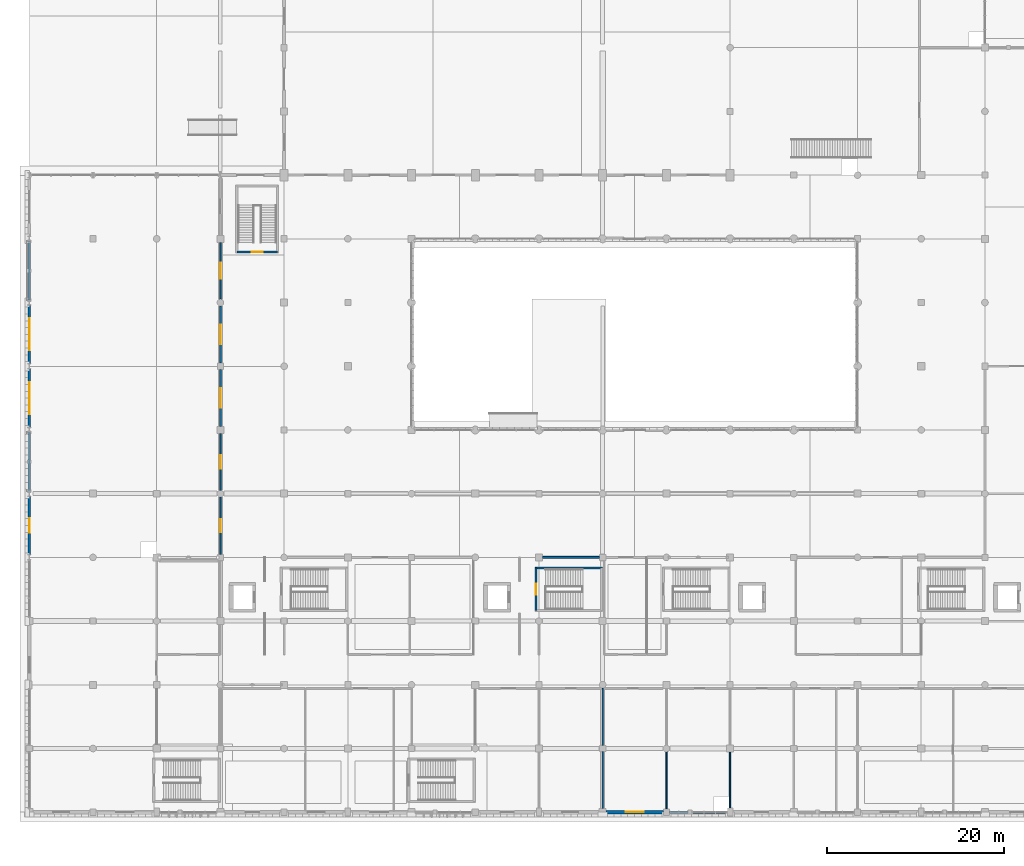
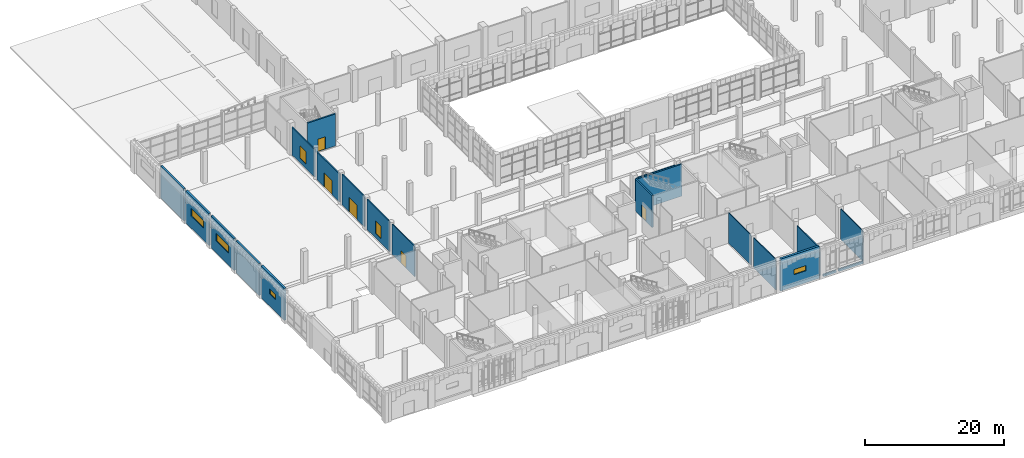
# One storey, part 56 of 85: 21 walls, 6 windows, 5 doors, 11 openings.
"""IFC4 building model written with IfcOpenShell, lengths in metres."""

from ifc_helpers import new_model, si_unit, direction, frame, frame_2d, origin, place, context, subcontext, project, spatial, rectangle, extrude, material, layer, layer_set, type_object, element, fill, save


model = new_model("IFC4")

# Units and contexts
model_context = context("Model", 3, precision=1e-05, world=origin(), true_north=direction((0.0, 1.0)))
body_context = subcontext(model_context, "Body", "Model", "MODEL_VIEW")
ifc_project = project(units=[si_unit("LENGTHUNIT", "METRE"), si_unit("AREAUNIT", "SQUARE_METRE"), si_unit("VOLUMEUNIT", "CUBIC_METRE"), si_unit("PLANEANGLEUNIT", "RADIAN"), si_unit("MASSUNIT", "GRAM", prefix="KILO")], contexts=[model_context])

# Site, building, storey
site_placement = place(None, origin())
site = spatial("IfcSite", under=ifc_project, at=site_placement, CompositionType="ELEMENT")
building_placement = place(site_placement, origin())
building = spatial("IfcBuilding", under=site, at=building_placement, Name="Sardonyx Promenade Sports Hall", CompositionType="ELEMENT")
storey_placement = place(building_placement, origin())
storey = spatial("IfcBuildingStorey", under=building, at=storey_placement, Name="L00", CompositionType="ELEMENT", Elevation=0.0)

# Wall, opening, window
ifc_material_1 = material(Name="Concrete C40/50", Category="concrete")
ifc_layer_1 = layer(ifc_material_1, 0.320068359375)
ifc_layer_set_1 = layer_set([ifc_layer_1], Name="Wall_Ext_Court_320")
wall_type_1 = type_object("IfcWallType", Name="Wall_Ext_Court_320", PredefinedType="SOLIDWALL", material=ifc_layer_set_1)
wall_1_placement = place(storey_placement, frame((0.0, 29.080078125, 0.0), z_axis=(0.0, 0.0, 1.0), x_axis=(0.0, 1.0, 0.0)))
wall_1 = element("IfcWall", 1, at=wall_1_placement, inside=storey, type_object=wall_type_1, Name="Exterior wall EW01 L00 #132", PredefinedType="SOLIDWALL", context=body_context, shape_type="SweptSolid", body=[
    extrude(rectangle(XDim=6.639892578125, YDim=0.320068359375, at=frame_2d((3.31982421875, 0.0))), origin(), (0.0, 0.0, 1.0), 5.60009765625),
])
opening_1_placement = place(wall_1_placement, frame((2.52001953125, 0.0, 2.10009765625)))
opening_1 = element("IfcOpeningElement", 2, at=opening_1_placement, cuts=wall_1, Name="Opening W02", PredefinedType="OPENING", context=body_context, shape_type="SweptSolid", body=[
    extrude(rectangle(XDim=1.60009765625, YDim=0.89990234375, at=frame_2d((0.800048828125, 0.449951171875))), frame((0.0, 0.17, 0.0), z_axis=(0.0, -1.0, 0.0), x_axis=(1.0, 0.0, 0.0)), (0.0, 0.0, 1.0), 0.34),
])
ifc_material_2 = material(Name="Double-glazed solar low-E aluminium window", Category="aluminium")
window_type_1 = type_object("IfcWindowType", Name="Win_Changing_Hi_160x090", PartitioningType="SINGLE_PANEL", PredefinedType="WINDOW", material=ifc_material_2)
window_1_placement = place(opening_1_placement, origin())
window_1 = element("IfcWindow", 3, at=window_1_placement, inside=storey, type_object=window_type_1, Name="Facade window W02 L00 #55", OverallHeight=0.89990234375, OverallWidth=1.60009765625, PartitioningType="SINGLE_PANEL", PredefinedType="WINDOW", context=body_context, shape_type="SweptSolid", body=[
    extrude(rectangle(XDim=1.60009765625, YDim=0.89990234375, at=frame_2d((0.800048828125, 0.449951171875))), frame((0.0, 0.030029296875, 0.0), z_axis=(0.0, -1.0, 0.0), x_axis=(1.0, 0.0, 0.0)), (0.0, 0.0, 1.0), 0.06005859375),
])
fill(opening_1, window_1)

# Wall
wall_2_placement = place(storey_placement, frame((0.0, 36.280029296875, 0.0), z_axis=(0.0, 0.0, 1.0), x_axis=(0.0, 1.0, 0.0)))
element("IfcWall", 4, at=wall_2_placement, inside=storey, type_object=wall_type_1, Name="Exterior wall EW01 L00 #133", PredefinedType="SOLIDWALL", context=body_context, shape_type="SweptSolid", body=[
    extrude(rectangle(XDim=6.639892578125, YDim=0.320068359375, at=frame_2d((3.31982421875, 0.0))), origin(), (0.0, 0.0, 1.0), 5.60009765625),
])

# Wall, opening, window
wall_3_placement = place(storey_placement, frame((0.0, 43.47998046875, 0.0), z_axis=(0.0, 0.0, 1.0), x_axis=(0.0, 1.0, 0.0)))
wall_3 = element("IfcWall", 5, at=wall_3_placement, inside=storey, type_object=wall_type_1, Name="Exterior wall EW01 L00 #134", PredefinedType="SOLIDWALL", context=body_context, shape_type="SweptSolid", body=[
    extrude(rectangle(XDim=6.64013671875, YDim=0.320068359375, at=frame_2d((3.320068359375, 0.0))), origin(), (0.0, 0.0, 1.0), 5.60009765625),
])
opening_2_placement = place(wall_3_placement, frame((1.52001953125, 0.0, 2.10009765625)))
opening_2 = element("IfcOpeningElement", 6, at=opening_2_placement, cuts=wall_3, Name="Opening W17", PredefinedType="OPENING", context=body_context, shape_type="SweptSolid", body=[
    extrude(rectangle(XDim=3.60009765625, YDim=1.35009765625, at=frame_2d((1.800048828125, 0.675048828125))), frame((0.0, 0.17, 0.0), z_axis=(0.0, -1.0, 0.0), x_axis=(1.0, 0.0, 0.0)), (0.0, 0.0, 1.0), 0.34),
])
ifc_material_3 = material(Name="Double-glazed solar low-E aluminium window", Category="aluminium")
window_type_2 = type_object("IfcWindowType", Name="Win_Clerestory_360x135", PartitioningType="DOUBLE_PANEL_VERTICAL", PredefinedType="WINDOW", material=ifc_material_3)
window_2_placement = place(opening_2_placement, origin())
window_2 = element("IfcWindow", 7, at=window_2_placement, inside=storey, type_object=window_type_2, Name="Facade window W17 L00 #56", OverallHeight=1.35009765625, OverallWidth=3.60009765625, PartitioningType="SINGLE_PANEL", PredefinedType="WINDOW", context=body_context, shape_type="SweptSolid", body=[
    extrude(rectangle(XDim=3.60009765625, YDim=1.35009765625, at=frame_2d((1.800048828125, 0.675048828125))), frame((0.0, 0.030029296875, 0.0), z_axis=(0.0, -1.0, 0.0), x_axis=(1.0, 0.0, 0.0)), (0.0, 0.0, 1.0), 0.06005859375),
])
fill(opening_2, window_2)

wall_4_placement = place(storey_placement, frame((0.0, 50.679931640625, 0.0), z_axis=(0.0, 0.0, 1.0), x_axis=(0.0, 1.0, 0.0)))
wall_4 = element("IfcWall", 8, at=wall_4_placement, inside=storey, type_object=wall_type_1, Name="Exterior wall EW01 L00 #135", PredefinedType="SOLIDWALL", context=body_context, shape_type="SweptSolid", body=[
    extrude(rectangle(XDim=6.64013671875, YDim=0.320068359375, at=frame_2d((3.320068359375, 0.0))), origin(), (0.0, 0.0, 1.0), 5.60009765625),
])
opening_3_placement = place(wall_4_placement, frame((1.52001953125, 0.0, 2.10009765625)))
opening_3 = element("IfcOpeningElement", 9, at=opening_3_placement, cuts=wall_4, Name="Opening W17", PredefinedType="OPENING", context=body_context, shape_type="SweptSolid", body=[
    extrude(rectangle(XDim=3.60009765625, YDim=1.35009765625, at=frame_2d((1.800048828125, 0.675048828125))), frame((0.0, 0.17, 0.0), z_axis=(0.0, -1.0, 0.0), x_axis=(1.0, 0.0, 0.0)), (0.0, 0.0, 1.0), 0.34),
])
window_3_placement = place(opening_3_placement, origin())
window_3 = element("IfcWindow", 10, at=window_3_placement, inside=storey, type_object=window_type_2, Name="Facade window W17 L00 #57", OverallHeight=1.35009765625, OverallWidth=3.60009765625, PartitioningType="SINGLE_PANEL", PredefinedType="WINDOW", context=body_context, shape_type="SweptSolid", body=[
    extrude(rectangle(XDim=3.60009765625, YDim=1.35009765625, at=frame_2d((1.800048828125, 0.675048828125))), frame((0.0, 0.030029296875, 0.0), z_axis=(0.0, -1.0, 0.0), x_axis=(1.0, 0.0, 0.0)), (0.0, 0.0, 1.0), 0.06005859375),
])
fill(opening_3, window_3)

# Wall
wall_5_placement = place(storey_placement, frame((0.0, 57.8798828125, 0.0), z_axis=(0.0, 0.0, 1.0), x_axis=(0.0, 1.0, 0.0)))
element("IfcWall", 11, at=wall_5_placement, inside=storey, type_object=wall_type_1, Name="Exterior wall EW01 L00 #136", PredefinedType="SOLIDWALL", context=body_context, shape_type="SweptSolid", body=[
    extrude(rectangle(XDim=6.64013671875, YDim=0.320068359375, at=frame_2d((3.320068359375, 0.0))), origin(), (0.0, 0.0, 1.0), 5.60009765625),
])

# Wall, opening, window
ifc_material_4 = material(Name="Concrete C40/50", Category="concrete")
ifc_layer_2 = layer(ifc_material_4, 0.360107421875)
ifc_layer_set_2 = layer_set([ifc_layer_2], Name="Wall_Ext_Sandstone_360")
wall_type_2 = type_object("IfcWallType", Name="Wall_Ext_Sandstone_360", PredefinedType="SOLIDWALL", material=ifc_layer_set_2)
wall_6_placement = place(storey_placement, frame((71.6650390625, 0.0, 0.0), z_axis=(0.0, 0.0, 1.0), x_axis=(-1.0, 0.0, 0.0)))
wall_6 = element("IfcWall", 12, at=wall_6_placement, inside=storey, type_object=wall_type_2, Name="Exterior wall EW06 L00 #19", PredefinedType="SOLIDWALL", context=body_context, shape_type="SweptSolid", body=[
    extrude(rectangle(XDim=6.47998046875, YDim=0.360107421875, at=frame_2d((3.239990234375, 0.0))), origin(), (0.0, 0.0, 1.0), 5.60009765625),
])
opening_4_placement = place(wall_6_placement, frame((2.239990234375, 0.0, 2.10009765625)))
opening_4 = element("IfcOpeningElement", 13, at=opening_4_placement, cuts=wall_6, Name="Opening W06", PredefinedType="OPENING", context=body_context, shape_type="SweptSolid", body=[
    extrude(rectangle(XDim=2.0, YDim=0.89990234375, at=frame_2d((1.0, 0.449951171875))), frame((0.0, 0.19, 0.0), z_axis=(0.0, -1.0, 0.0), x_axis=(1.0, 0.0, 0.0)), (0.0, 0.0, 1.0), 0.38),
])
ifc_material_5 = material(Name="Double-glazed solar low-E aluminium window", Category="aluminium")
window_type_3 = type_object("IfcWindowType", Name="Win_Changing_Hi_200x090", PartitioningType="DOUBLE_PANEL_VERTICAL", PredefinedType="WINDOW", material=ifc_material_5)
window_4_placement = place(opening_4_placement, origin())
window_4 = element("IfcWindow", 14, at=window_4_placement, inside=storey, type_object=window_type_3, Name="Facade window W06 L00 #4", OverallHeight=0.89990234375, OverallWidth=2.0, PartitioningType="SINGLE_PANEL", PredefinedType="WINDOW", context=body_context, shape_type="SweptSolid", body=[
    extrude(rectangle(XDim=2.0, YDim=0.89990234375, at=frame_2d((1.0, 0.449951171875))), frame((0.0, 0.030029296875, 0.0), z_axis=(0.0, -1.0, 0.0), x_axis=(1.0, 0.0, 0.0)), (0.0, 0.0, 1.0), 0.06005859375),
])
fill(opening_4, window_4)

# Walls
ifc_material_6 = material(Name="Masonry CMU 15 MPa", Category="masonry")
ifc_layer_3 = layer(ifc_material_6, 0.239990234375)
ifc_layer_set_3 = layer_set([ifc_layer_3], Name="Wall_Ext_Spandrel_240")
wall_type_3 = type_object("IfcWallType", Name="Wall_Ext_Spandrel_240", PredefinedType="SOLIDWALL", material=ifc_layer_set_3)
wall_7_placement = place(storey_placement, frame((78.9150390625, 0.0, 0.0), z_axis=(0.0, 0.0, 1.0), x_axis=(-1.0, 0.0, 0.0)))
element("IfcWall", 15, at=wall_7_placement, inside=storey, type_object=wall_type_3, Name="Curtain-wall sill spandrel L00 #17", PredefinedType="SOLIDWALL", context=body_context, shape_type="SweptSolid", body=[
    extrude(rectangle(XDim=4.054931640625, YDim=0.239990234375, at=frame_2d((2.02734375, 0.0))), origin(), (0.0, 0.0, 1.0), 0.35009765625),
])
wall_8_placement = place(storey_placement, frame((74.43994140625, 0.0, 0.0), z_axis=(0.0, 0.0, 1.0), x_axis=(-1.0, 0.0, 0.0)))
element("IfcWall", 16, at=wall_8_placement, inside=storey, type_object=wall_type_3, Name="Curtain-wall sill spandrel L00 #18", PredefinedType="SOLIDWALL", context=body_context, shape_type="SweptSolid", body=[
    extrude(rectangle(XDim=2.10498046875, YDim=0.239990234375, at=frame_2d((1.052490234375, 0.0))), origin(), (0.0, 0.0, 1.0), 0.35009765625),
])

# Wall, opening, door
ifc_material_7 = material(Name="Twin-stud acoustic gypsum partition", Category="gypsum")
ifc_layer_4 = layer(ifc_material_7, 0.169921875)
ifc_layer_set_4 = layer_set([ifc_layer_4], Name="Wall_Part_Acoust_170")
wall_type_4 = type_object("IfcWallType", Name="Wall_Part_Acoust_170", PredefinedType="PARTITIONING", material=ifc_layer_set_4)
wall_9_placement = place(storey_placement, frame((21.60009765625, 29.14990234375, 0.0), z_axis=(0.0, 0.0, 1.0), x_axis=(0.0, 1.0, 0.0)))
wall_9 = element("IfcWall", 17, at=wall_9_placement, inside=storey, type_object=wall_type_4, Name="Interior partition PW06 L00 #482", PredefinedType="PARTITIONING", context=body_context, shape_type="SweptSolid", body=[
    extrude(rectangle(XDim=6.47509765625, YDim=0.169921875, at=frame_2d((3.237548828125, 0.0))), origin(), (0.0, 0.0, 1.0), 5.320068359375),
])
opening_5_placement = place(wall_9_placement, frame((2.487548828125, 0.0, 0.0)))
opening_5 = element("IfcOpeningElement", 18, at=opening_5_placement, cuts=wall_9, Name="Opening ID10", PredefinedType="OPENING", context=body_context, shape_type="SweptSolid", body=[
    extrude(rectangle(XDim=1.5, YDim=2.199951171875, at=frame_2d((0.75, 1.10009765625))), frame((0.0, 0.095, 0.0), z_axis=(0.0, -1.0, 0.0), x_axis=(1.0, 0.0, 0.0)), (0.0, 0.0, 1.0), 0.19),
])
ifc_material_8 = material(Name="Double studio entrance fire door FD30S", Category="wood")
door_type_1 = type_object("IfcDoorType", Name="Door_Corr_FD30_150x220", OperationType="NOTDEFINED", PredefinedType="DOOR", material=ifc_material_8)
door_1_placement = place(opening_5_placement, origin())
door_1 = element("IfcDoor", 19, at=door_1_placement, inside=storey, type_object=door_type_1, Name="Interior door D00-148", OperationType="DOUBLE_DOOR_SINGLE_SWING", OverallHeight=2.199951171875, OverallWidth=1.5, PredefinedType="DOOR", context=body_context, shape_type="SweptSolid", body=[
    extrude(rectangle(XDim=1.5, YDim=2.199951171875, at=frame_2d((0.75, 1.10009765625))), frame((0.0, 0.02490234375, 0.0), z_axis=(0.0, -1.0, 0.0), x_axis=(1.0, 0.0, 0.0)), (0.0, 0.0, 1.0), 0.050048828125),
])
fill(opening_5, door_1)

# Wall, opening, window
wall_10_placement = place(storey_placement, frame((21.60009765625, 36.375, 0.0), z_axis=(0.0, 0.0, 1.0), x_axis=(0.0, 1.0, 0.0)))
wall_10 = element("IfcWall", 20, at=wall_10_placement, inside=storey, type_object=wall_type_4, Name="Interior partition PW06 L00 #483", PredefinedType="PARTITIONING", context=body_context, shape_type="SweptSolid", body=[
    extrude(rectangle(XDim=6.425048828125, YDim=0.169921875, at=frame_2d((3.21240234375, 0.0))), origin(), (0.0, 0.0, 1.0), 5.320068359375),
])
opening_6_placement = place(wall_10_placement, frame((2.46240234375, 0.0, 0.85009765625)))
opening_6 = element("IfcOpeningElement", 21, at=opening_6_placement, cuts=wall_10, Name="Opening IW08", PredefinedType="OPENING", context=body_context, shape_type="SweptSolid", body=[
    extrude(rectangle(XDim=1.5, YDim=2.199951171875, at=frame_2d((0.75, 1.10009765625))), frame((0.0, 0.095, 0.0), z_axis=(0.0, -1.0, 0.0), x_axis=(1.0, 0.0, 0.0)), (0.0, 0.0, 1.0), 0.19),
])
ifc_material_9 = material(Name="Acoustic laminated sports viewing glazing EI 60", Category="glass")
window_type_4 = type_object("IfcWindowType", Name="IWin_Climb_150x220", PartitioningType="DOUBLE_PANEL_VERTICAL", PredefinedType="WINDOW", material=ifc_material_9)
window_5_placement = place(opening_6_placement, origin())
window_5 = element("IfcWindow", 22, at=window_5_placement, inside=storey, type_object=window_type_4, Name="Internal viewing window IW08 L00 #70", OverallHeight=2.199951171875, OverallWidth=1.5, PartitioningType="SINGLE_PANEL", PredefinedType="WINDOW", context=body_context, shape_type="SweptSolid", body=[
    extrude(rectangle(XDim=1.5, YDim=2.199951171875, at=frame_2d((0.75, 1.10009765625))), frame((0.0, 0.030029296875, 0.0), z_axis=(0.0, -1.0, 0.0), x_axis=(1.0, 0.0, 0.0)), (0.0, 0.0, 1.0), 0.06005859375),
])
fill(opening_6, window_5)

wall_11_placement = place(storey_placement, frame((21.60009765625, 57.97509765625, 0.0), z_axis=(0.0, 0.0, 1.0), x_axis=(0.0, 1.0, 0.0)))
wall_11 = element("IfcWall", 23, at=wall_11_placement, inside=storey, type_object=wall_type_4, Name="Interior partition PW06 L00 #486", PredefinedType="PARTITIONING", context=body_context, shape_type="SweptSolid", body=[
    extrude(rectangle(XDim=6.4248046875, YDim=0.169921875, at=frame_2d((3.21240234375, 0.0))), origin(), (0.0, 0.0, 1.0), 4.8798828125),
])
opening_7_placement = place(wall_11_placement, frame((2.3125, 0.0, 0.85009765625)))
opening_7 = element("IfcOpeningElement", 24, at=opening_7_placement, cuts=wall_11, Name="Opening IW05", PredefinedType="OPENING", context=body_context, shape_type="SweptSolid", body=[
    extrude(rectangle(XDim=1.800048828125, YDim=2.199951171875, at=frame_2d((0.89990234375, 1.10009765625))), frame((0.0, 0.095, 0.0), z_axis=(0.0, -1.0, 0.0), x_axis=(1.0, 0.0, 0.0)), (0.0, 0.0, 1.0), 0.19),
])
ifc_material_10 = material(Name="Acoustic laminated sports viewing glazing EI 60", Category="glass")
window_type_5 = type_object("IfcWindowType", Name="IWin_Climb_180x220", PartitioningType="DOUBLE_PANEL_VERTICAL", PredefinedType="WINDOW", material=ifc_material_10)
window_6_placement = place(opening_7_placement, origin())
window_6 = element("IfcWindow", 25, at=window_6_placement, inside=storey, type_object=window_type_5, Name="Internal viewing window IW05 L00 #71", OverallHeight=2.199951171875, OverallWidth=1.800048828125, PartitioningType="SINGLE_PANEL", PredefinedType="WINDOW", context=body_context, shape_type="SweptSolid", body=[
    extrude(rectangle(XDim=1.800048828125, YDim=2.199951171875, at=frame_2d((0.89990234375, 1.10009765625))), frame((0.0, 0.030029296875, 0.0), z_axis=(0.0, -1.0, 0.0), x_axis=(1.0, 0.0, 0.0)), (0.0, 0.0, 1.0), 0.06005859375),
])
fill(opening_7, window_6)

# Wall, opening, door
ifc_material_11 = material(Name="Masonry CMU 15 MPa", Category="masonry")
ifc_layer_5 = layer(ifc_material_11, 0.18994140625)
ifc_layer_set_5 = layer_set([ifc_layer_5], Name="Wall_Part_Block_190")
wall_type_5 = type_object("IfcWallType", Name="Wall_Part_Block_190", PredefinedType="PARTITIONING", material=ifc_layer_set_5)
wall_12_placement = place(storey_placement, frame((21.60009765625, 43.60009765625, 0.0), z_axis=(0.0, 0.0, 1.0), x_axis=(0.0, 1.0, 0.0)))
wall_12 = element("IfcWall", 26, at=wall_12_placement, inside=storey, type_object=wall_type_5, Name="Interior partition PW03 L00 #484", PredefinedType="PARTITIONING", context=body_context, shape_type="SweptSolid", body=[
    extrude(rectangle(XDim=6.449951171875, YDim=0.18994140625, at=frame_2d((3.22509765625, 0.0))), origin(), (0.0, 0.0, 1.0), 5.320068359375),
])
opening_8_placement = place(wall_12_placement, frame((2.125, 0.0, 0.0)))
opening_8 = element("IfcOpeningElement", 27, at=opening_8_placement, cuts=wall_12, Name="Opening ID04", PredefinedType="OPENING", context=body_context, shape_type="SweptSolid", body=[
    extrude(rectangle(XDim=2.199951171875, YDim=2.5, at=frame_2d((1.10009765625, 1.25))), frame((0.0, 0.105, 0.0), z_axis=(0.0, -1.0, 0.0), x_axis=(1.0, 0.0, 0.0)), (0.0, 0.0, 1.0), 0.21),
])
ifc_material_12 = material(Name="Double acoustic sports hall fire door FD60S", Category="wood")
door_type_2 = type_object("IfcDoorType", Name="Door_Hall_FD60_220x250", OperationType="NOTDEFINED", PredefinedType="DOOR", material=ifc_material_12)
door_2_placement = place(opening_8_placement, origin())
door_2 = element("IfcDoor", 28, at=door_2_placement, inside=storey, type_object=door_type_2, Name="Interior door D00-149", OperationType="DOUBLE_DOOR_SINGLE_SWING", OverallHeight=2.5, OverallWidth=2.199951171875, PredefinedType="DOOR", context=body_context, shape_type="SweptSolid", body=[
    extrude(rectangle(XDim=2.199951171875, YDim=2.5, at=frame_2d((1.10009765625, 1.25))), frame((0.0, 0.02490234375, 0.0), z_axis=(0.0, -1.0, 0.0), x_axis=(1.0, 0.0, 0.0)), (0.0, 0.0, 1.0), 0.050048828125),
])
fill(opening_8, door_2)

wall_13_placement = place(storey_placement, frame((21.60009765625, 50.75, 0.0), z_axis=(0.0, 0.0, 1.0), x_axis=(0.0, 1.0, 0.0)))
wall_13 = element("IfcWall", 29, at=wall_13_placement, inside=storey, type_object=wall_type_5, Name="Interior partition PW03 L00 #485", PredefinedType="PARTITIONING", context=body_context, shape_type="SweptSolid", body=[
    extrude(rectangle(XDim=6.47509765625, YDim=0.18994140625, at=frame_2d((3.237548828125, 0.0))), origin(), (0.0, 0.0, 1.0), 4.8798828125),
])
opening_9_placement = place(wall_13_placement, frame((2.137451171875, 0.0, 0.0)))
opening_9 = element("IfcOpeningElement", 30, at=opening_9_placement, cuts=wall_13, Name="Opening ID04", PredefinedType="OPENING", context=body_context, shape_type="SweptSolid", body=[
    extrude(rectangle(XDim=2.199951171875, YDim=2.5, at=frame_2d((1.10009765625, 1.25))), frame((0.0, 0.105, 0.0), z_axis=(0.0, -1.0, 0.0), x_axis=(1.0, 0.0, 0.0)), (0.0, 0.0, 1.0), 0.21),
])
door_3_placement = place(opening_9_placement, origin())
door_3 = element("IfcDoor", 31, at=door_3_placement, inside=storey, type_object=door_type_2, Name="Interior door D00-150", OperationType="DOUBLE_DOOR_SINGLE_SWING", OverallHeight=2.5, OverallWidth=2.199951171875, PredefinedType="DOOR", context=body_context, shape_type="SweptSolid", body=[
    extrude(rectangle(XDim=2.199951171875, YDim=2.5, at=frame_2d((1.10009765625, 1.25))), frame((0.0, 0.02490234375, 0.0), z_axis=(0.0, -1.0, 0.0), x_axis=(1.0, 0.0, 0.0)), (0.0, 0.0, 1.0), 0.050048828125),
])
fill(opening_9, door_3)

# Walls
ifc_material_13 = material(Name="Masonry CMU 15 MPa", Category="masonry")
ifc_layer_6 = layer(ifc_material_13, 0.2099609375)
ifc_layer_set_6 = layer_set([ifc_layer_6], Name="Wall_Part_Block_210")
wall_type_6 = type_object("IfcWallType", Name="Wall_Part_Block_210", PredefinedType="PARTITIONING", material=ifc_layer_set_6)
wall_14_placement = place(storey_placement, frame((58.0, 28.800048828125, 0.0), z_axis=(0.0, 0.0, 1.0), x_axis=(1.0, 0.0, 0.0)))
element("IfcWall", 32, at=wall_14_placement, inside=storey, type_object=wall_type_6, Name="Interior partition PW07 L00 #114", PredefinedType="PARTITIONING", context=body_context, shape_type="SweptSolid", body=[
    extrude(rectangle(XDim=6.449951171875, YDim=0.2099609375, at=frame_2d((3.22509765625, 0.0))), origin(), (0.0, 0.0, 1.0), 4.780029296875),
])
ifc_material_14 = material(Name="Acoustic sports stud partition", Category="gypsum")
ifc_layer_7 = layer(ifc_material_14, 0.1298828125)
ifc_layer_set_7 = layer_set([ifc_layer_7], Name="Wall_Part_Studio_130")
wall_type_7 = type_object("IfcWallType", Name="Wall_Part_Studio_130", PredefinedType="PARTITIONING", material=ifc_layer_set_7)
wall_15_placement = place(storey_placement, frame((64.800048828125, 0.39990234375, 0.0), z_axis=(0.0, 0.0, 1.0), x_axis=(0.0, 1.0, 0.0)))
element("IfcWall", 33, at=wall_15_placement, inside=storey, type_object=wall_type_7, Name="Interior partition PW05 L00 #59", PredefinedType="PARTITIONING", context=body_context, shape_type="SweptSolid", body=[
    extrude(rectangle(XDim=6.4501953125, YDim=0.1298828125, at=frame_2d((3.22509765625, 0.0))), origin(), (0.0, 0.0, 1.0), 5.300048828125),
])
wall_16_placement = place(storey_placement, frame((64.800048828125, 7.550048828125, 0.0), z_axis=(0.0, 0.0, 1.0), x_axis=(0.0, 1.0, 0.0)))
element("IfcWall", 34, at=wall_16_placement, inside=storey, type_object=wall_type_7, Name="Interior partition PW05 L00 #60", PredefinedType="PARTITIONING", context=body_context, shape_type="SweptSolid", body=[
    extrude(rectangle(XDim=6.449951171875, YDim=0.1298828125, at=frame_2d((3.22509765625, 0.0))), origin(), (0.0, 0.0, 1.0), 5.300048828125),
])
ifc_material_15 = material(Name="Moisture-resistant masonry partition", Category="masonry")
ifc_layer_8 = layer(ifc_material_15, 0.139892578125)
ifc_layer_set_8 = layer_set([ifc_layer_8], Name="Wall_Part_Wet_140")
wall_type_8 = type_object("IfcWallType", Name="Wall_Part_Wet_140", PredefinedType="PARTITIONING", material=ifc_layer_set_8)
wall_17_placement = place(storey_placement, frame((72.0, 0.35009765625, 0.0), z_axis=(0.0, 0.0, 1.0), x_axis=(0.0, 1.0, 0.0)))
element("IfcWall", 35, at=wall_17_placement, inside=storey, type_object=wall_type_8, Name="Interior partition PW08 L00 #61", PredefinedType="PARTITIONING", context=body_context, shape_type="SweptSolid", body=[
    extrude(rectangle(XDim=6.474853515625, YDim=0.139892578125, at=frame_2d((3.2373046875, 0.0))), origin(), (0.0, 0.0, 1.0), 4.8798828125),
])
wall_18_placement = place(storey_placement, frame((79.199951171875, 0.449951171875, 0.0), z_axis=(0.0, 0.0, 1.0), x_axis=(0.0, 1.0, 0.0)))
element("IfcWall", 36, at=wall_18_placement, inside=storey, type_object=wall_type_8, Name="Interior partition PW08 L00 #63", PredefinedType="PARTITIONING", context=body_context, shape_type="SweptSolid", body=[
    extrude(rectangle(XDim=6.35009765625, YDim=0.139892578125, at=frame_2d((3.175048828125, 0.0))), origin(), (0.0, 0.0, 1.0), 5.300048828125),
])

# Wall, opening, door
ifc_material_16 = material(Name="Concrete C40/50", Category="concrete")
ifc_layer_9 = layer(ifc_material_16, 0.25)
ifc_layer_set_9 = layer_set([ifc_layer_9], Name="Wall_Stair_Shear_250")
wall_type_9 = type_object("IfcWallType", Name="Wall_Stair_Shear_250", PredefinedType="SHEAR", material=ifc_layer_set_9)
wall_19_placement = place(storey_placement, frame((57.27490234375, 22.800048828125, 0.0), z_axis=(0.0, 0.0, 1.0), x_axis=(0.0, 1.0, 0.0)))
wall_19 = element("IfcWall", 37, at=wall_19_placement, inside=storey, type_object=wall_type_9, Name="Stair shaft wall ST3 L00 entry", PredefinedType="SHEAR", context=body_context, shape_type="SweptSolid", body=[
    extrude(rectangle(XDim=4.800048828125, YDim=0.25, at=frame_2d((2.39990234375, 0.0))), origin(), (0.0, 0.0, 1.0), 5.60009765625),
])
opening_10_placement = place(wall_19_placement, frame((1.77490234375, 0.0, 0.0)))
opening_10 = element("IfcOpeningElement", 38, at=opening_10_placement, cuts=wall_19, Name="Opening ID13", PredefinedType="OPENING", context=body_context, shape_type="SweptSolid", body=[
    extrude(rectangle(XDim=1.25, YDim=2.199951171875, at=frame_2d((0.625, 1.10009765625))), frame((0.0, 0.135, 0.0), z_axis=(0.0, -1.0, 0.0), x_axis=(1.0, 0.0, 0.0)), (0.0, 0.0, 1.0), 0.27),
])
ifc_material_17 = material(Name="Solid-core hardwood fire door FD60S", Category="wood")
door_type_3 = type_object("IfcDoorType", Name="Door_Stair_FD60_125x220", OperationType="NOTDEFINED", PredefinedType="DOOR", material=ifc_material_17)
door_4_placement = place(opening_10_placement, origin())
door_4 = element("IfcDoor", 39, at=door_4_placement, inside=storey, type_object=door_type_3, Name="Protected stair door SD12 (ST3 L00)", OperationType="SINGLE_SWING_RIGHT", OverallHeight=2.199951171875, OverallWidth=1.25, PredefinedType="DOOR", context=body_context, shape_type="SweptSolid", body=[
    extrude(rectangle(XDim=1.25, YDim=2.199951171875, at=frame_2d((0.625, 1.10009765625))), frame((0.0, 0.02490234375, 0.0), z_axis=(0.0, -1.0, 0.0), x_axis=(1.0, 0.0, 0.0)), (0.0, 0.0, 1.0), 0.050048828125),
])
fill(opening_10, door_4)

# Wall
wall_20_placement = place(storey_placement, frame((57.14990234375, 27.60009765625, 0.0), z_axis=(0.0, 0.0, 1.0), x_axis=(1.0, 0.0, 0.0)))
element("IfcWall", 40, at=wall_20_placement, inside=storey, type_object=wall_type_9, Name="Stair shaft wall ST3 L00 N", PredefinedType="SHEAR", context=body_context, shape_type="SweptSolid", body=[
    extrude(rectangle(XDim=7.650146484375, YDim=0.25, at=frame_2d((3.8251953125, 0.0))), origin(), (0.0, 0.0, 1.0), 5.60009765625),
])

# Wall, opening, door
wall_21_placement = place(storey_placement, frame((28.050048828125, 63.324951171875, 0.0), z_axis=(0.0, 0.0, 1.0), x_axis=(-1.0, 0.0, 0.0)))
wall_21 = element("IfcWall", 41, at=wall_21_placement, inside=storey, type_object=wall_type_9, Name="Stair shaft wall ST7 L00 entry", PredefinedType="SHEAR", context=body_context, shape_type="SweptSolid", body=[
    extrude(rectangle(XDim=4.60009765625, YDim=0.25, at=frame_2d((2.300048828125, 0.0))), origin(), (0.0, 0.0, 1.0), 5.60009765625),
])
opening_11_placement = place(wall_21_placement, frame((1.675048828125, 0.0, 0.0)))
opening_11 = element("IfcOpeningElement", 42, at=opening_11_placement, cuts=wall_21, Name="Opening ID13", PredefinedType="OPENING", context=body_context, shape_type="SweptSolid", body=[
    extrude(rectangle(XDim=1.25, YDim=2.199951171875, at=frame_2d((0.625, 1.10009765625))), frame((0.0, 0.135, 0.0), z_axis=(0.0, -1.0, 0.0), x_axis=(1.0, 0.0, 0.0)), (0.0, 0.0, 1.0), 0.27),
])
door_5_placement = place(opening_11_placement, origin())
door_5 = element("IfcDoor", 43, at=door_5_placement, inside=storey, type_object=door_type_3, Name="Protected stair door SD32 (ST7 L00)", OperationType="SINGLE_SWING_RIGHT", OverallHeight=2.199951171875, OverallWidth=1.25, PredefinedType="DOOR", context=body_context, shape_type="SweptSolid", body=[
    extrude(rectangle(XDim=1.25, YDim=2.199951171875, at=frame_2d((0.625, 1.10009765625))), frame((0.0, 0.02490234375, 0.0), z_axis=(0.0, -1.0, 0.0), x_axis=(1.0, 0.0, 0.0)), (0.0, 0.0, 1.0), 0.050048828125),
])
fill(opening_11, door_5)

save(model, "model.ifc")
